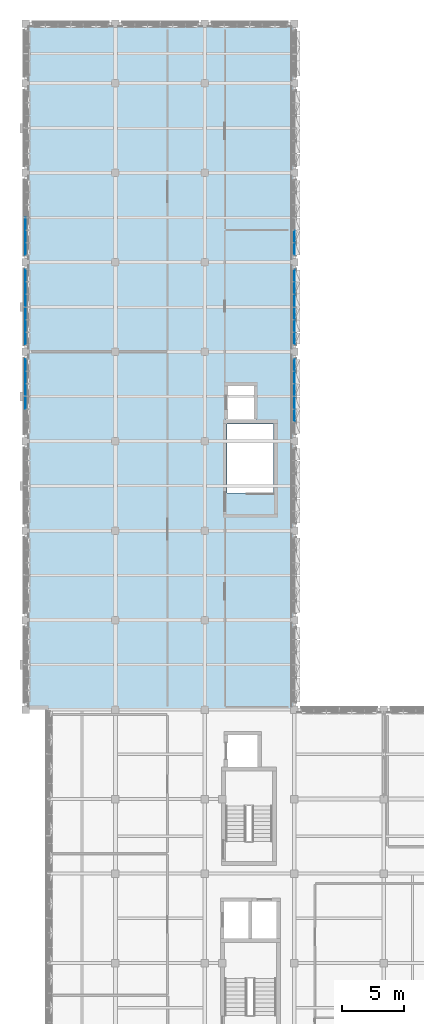
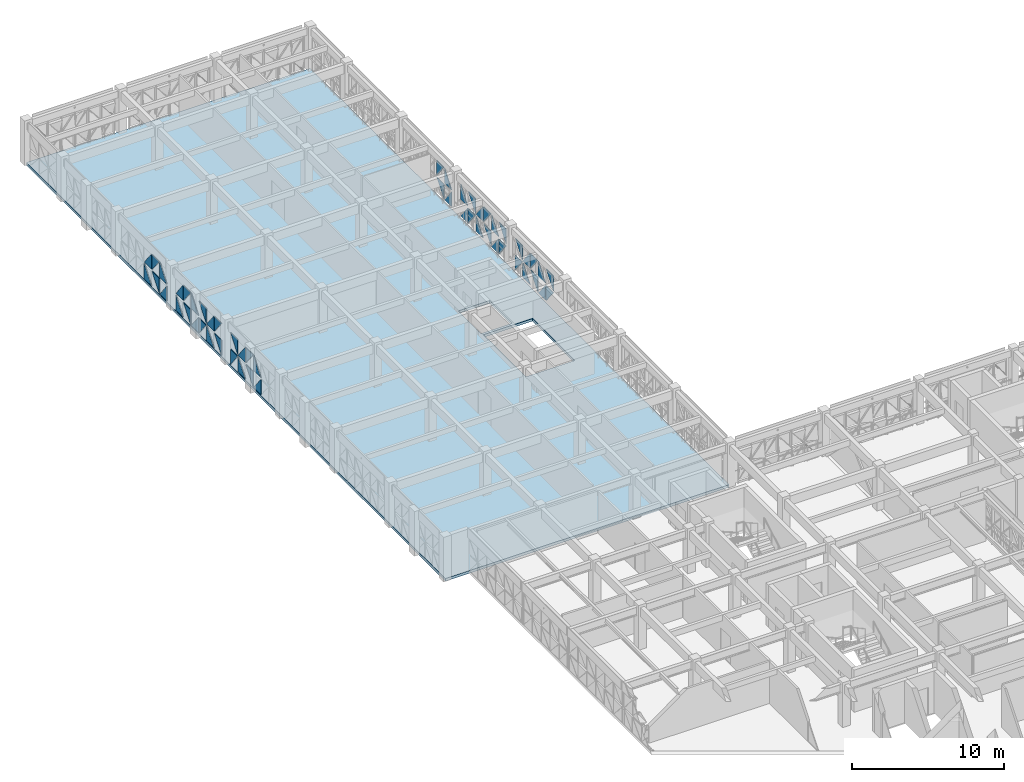
# One storey, part 34 of 74: 52 plates, 1 slab, 6 elements without a shape of their own.
"""IFC4 building model written with IfcOpenShell, lengths in metres."""

import ifcopenshell
import ifcopenshell.guid

model = None  # the IFC model being written
_history = None  # IfcOwnerHistory: only IFC2X3 demands one
_inside = {}  # id of a spatial element -> (the spatial element, [elements in it])
_under = {}  # id of a project, library or spatial element -> (it, [spatial elements below it])
_declared = {}  # id of a project -> (the project, [libraries it declares])
_typed = {}  # id of a type object -> (the type object, [elements of that type])
_made_of = {}  # id of a material, layer set ... -> (it, [elements and type objects made of it])


def new_model(schema):
    """Start an empty IFC model of exactly this schema.

    Asked for "IFC4X3", IfcOpenShell would pick the latest addendum, in which some entities
    have other attributes; the version numbers below select the first issue.
    IFC2X3 requires an IfcOwnerHistory on every rooted entity: one is made here for all.
    """
    global model, _history
    if schema == "IFC4X3":
        model = ifcopenshell.file(schema_version=(4, 3, 0, 0))
    else:
        model = ifcopenshell.file(schema=schema)
    _inside.clear()
    _under.clear()
    _declared.clear()
    _typed.clear()
    _made_of.clear()
    _history = None
    if model.schema == "IFC2X3":
        org = make("IfcOrganization", Name="unknown")
        user = make(
            "IfcPersonAndOrganization",
            ThePerson=make("IfcPerson", FamilyName="unknown"),
            TheOrganization=org,
        )
        app = make(
            "IfcApplication",
            ApplicationDeveloper=org,
            Version="unknown",
            ApplicationFullName="unknown",
            ApplicationIdentifier="unknown",
        )
        _history = make(
            "IfcOwnerHistory",
            OwningUser=user,
            OwningApplication=app,
            ChangeAction="ADDED",
            CreationDate=0,
        )
    return model


def make(cls, **values):
    """One entity of the class cls with the attributes given. An attribute that is None is left unset."""
    return model.create_entity(
        cls, **{name: value for name, value in values.items() if value is not None}
    )


def rooted(cls, **values):
    """An entity with a GlobalId (a new one), such as an element, a storey or a relation."""
    return make(cls, GlobalId=ifcopenshell.guid.new(), OwnerHistory=_history, **values)


def si_unit(unit_type, name, prefix=None):
    """IfcSIUnit, for example si_unit("LENGTHUNIT", "METRE", prefix="MILLI")."""
    return make("IfcSIUnit", UnitType=unit_type, Prefix=prefix, Name=name)


def assignment(units):
    """IfcUnitAssignment: the units of a project."""
    return None if units is None else make("IfcUnitAssignment", Units=units)


def point(xyz):
    """IfcCartesianPoint."""
    return None if xyz is None else make("IfcCartesianPoint", Coordinates=xyz)


def direction(xyz):
    """IfcDirection."""
    return None if xyz is None else make("IfcDirection", DirectionRatios=xyz)


def frame(location, z_axis=None, x_axis=None):
    """IfcAxis2Placement3D, a coordinate frame: its origin and axes. An axis left out is left unset."""
    return make(
        "IfcAxis2Placement3D",
        Location=point(location),
        Axis=direction(z_axis),
        RefDirection=direction(x_axis),
    )


def origin():
    """The frame at (0, 0, 0) with its axes left unset."""
    return frame((0.0, 0.0, 0.0))


def place(relative_to, where):
    """IfcLocalPlacement: puts the frame where relative to a parent placement (None: the world)."""
    return make(
        "IfcLocalPlacement", PlacementRelTo=relative_to, RelativePlacement=where
    )


def context(
    kind, dimensions, precision=None, world=None, true_north=None, identifier=None
):
    """IfcGeometricRepresentationContext, for example the 3D "Model" context."""
    return make(
        "IfcGeometricRepresentationContext",
        ContextIdentifier=identifier,
        ContextType=kind,
        CoordinateSpaceDimension=dimensions,
        Precision=precision,
        WorldCoordinateSystem=world,
        TrueNorth=true_north,
    )


def subcontext(parent, identifier, kind, view, scale=None):
    """IfcGeometricRepresentationSubContext, for example "Body" below "Model"."""
    return make(
        "IfcGeometricRepresentationSubContext",
        ContextIdentifier=identifier,
        ContextType=kind,
        ParentContext=parent,
        TargetScale=scale,
        TargetView=view,
    )


def project(units=None, contexts=None):
    """IfcProject with its units and contexts."""
    return rooted(
        "IfcProject",
        Name="project",
        RepresentationContexts=contexts,
        UnitsInContext=assignment(units),
    )


def spatial(cls, under=None, at=None, **own):
    """A site, building, storey or space (cls), placed at a placement, below another one or the project."""
    s = rooted(cls, ObjectPlacement=at, **own)
    if under is not None:
        _under.setdefault(under.id(), (under, []))[1].append(s)
    return s


def polyline(points):
    """IfcPolyline through the points."""
    return make("IfcPolyline", Points=[point(p) for p in points])


def outline(outer, holes=None, kind="AREA"):
    """IfcArbitraryClosedProfileDef: a profile drawn as a closed curve; with holes, ...WithVoids."""
    if holes is None:
        return make("IfcArbitraryClosedProfileDef", ProfileType=kind, OuterCurve=outer)
    return make(
        "IfcArbitraryProfileDefWithVoids",
        ProfileType=kind,
        OuterCurve=outer,
        InnerCurves=holes,
    )


def extrude(swept, where, along, depth):
    """IfcExtrudedAreaSolid: the profile swept, set in the frame where, extruded along a direction by depth."""
    return make(
        "IfcExtrudedAreaSolid",
        SweptArea=swept,
        Position=where,
        ExtrudedDirection=direction(along),
        Depth=depth,
    )


def shape(context_of_items, identifier, shape_type, items):
    """IfcShapeRepresentation: the items that make up one representation, for example the "Body"."""
    return make(
        "IfcShapeRepresentation",
        ContextOfItems=context_of_items,
        RepresentationIdentifier=identifier,
        RepresentationType=shape_type,
        Items=items,
    )


def material(Name=None, Category=None):
    """IfcMaterial."""
    return make("IfcMaterial", Name=Name, Category=Category)


def layer(
    of_material, thickness, ventilated=None, Name=None, Category=None, Priority=None
):
    """IfcMaterialLayer: one layer of a wall or slab, of a material (None: an air gap)."""
    return make(
        "IfcMaterialLayer",
        Material=of_material,
        LayerThickness=thickness,
        IsVentilated=ventilated,
        Name=Name,
        Category=Category,
        Priority=Priority,
    )


def layer_set(layers, Name=None):
    """IfcMaterialLayerSet."""
    return make("IfcMaterialLayerSet", MaterialLayers=layers, LayerSetName=Name)


def made_of(thing, what):
    """Note that an element or type object is made of a material, layer set ...; save() writes the relation."""
    if what is not None:
        _made_of.setdefault(what.id(), (what, []))[1].append(thing)
    return thing


def type_object(cls, material=None, **own):
    """A type object (cls), such as IfcWallType, which elements share."""
    return made_of(rooted(cls, **own), material)


def element(
    cls,
    number,
    at=None,
    inside=None,
    cuts=None,
    type_object=None,
    material=None,
    context=None,
    identifier="Body",
    shape_type=None,
    held_by="IfcProductDefinitionShape",
    body=None,
    shapes=None,
    **own,
):
    """One element of the class cls, such as IfcWall. Its Tag is "e" and its number.

    at: its placement. inside: the storey or other place that contains it. cuts: it is an
    opening in that element (IfcRelVoidsElement). A single representation is given by context,
    identifier, shape_type and body (its items); several are given by shapes. held_by: the class
    of the entity that holds the representations. save() writes the other relations.
    """
    e = rooted(cls, Tag="e%d" % number, ObjectPlacement=at, **own)
    if body is not None:
        shapes = [shape(context, identifier, shape_type, body)]
    if shapes is not None:
        e.Representation = make(held_by, Representations=shapes)
    if inside is not None:
        _inside.setdefault(inside.id(), (inside, []))[1].append(e)
    if cuts is not None:
        rooted(
            "IfcRelVoidsElement", RelatingBuildingElement=cuts, RelatedOpeningElement=e
        )
    if type_object is not None:
        _typed.setdefault(type_object.id(), (type_object, []))[1].append(e)
    return made_of(e, material)


def aggregate(whole, parts):
    """IfcRelAggregates: a whole, such as a stair, and the parts it consists of."""
    return rooted("IfcRelAggregates", RelatingObject=whole, RelatedObjects=parts)


def save(model, path):
    """Write the relations noted so far, then the file.

    IfcRelAggregates (storeys below a building ...), IfcRelContainedInSpatialStructure (elements
    in a storey), IfcRelDefinesByType, IfcRelAssociatesMaterial and IfcRelDeclares: one each for
    every whole, place, type object, material and project.
    """
    for whole, parts in _under.values():
        aggregate(whole, parts)
    for where, things in _inside.values():
        rooted(
            "IfcRelContainedInSpatialStructure",
            RelatedElements=things,
            RelatingStructure=where,
        )
    for kind, things in _typed.values():
        rooted("IfcRelDefinesByType", RelatedObjects=things, RelatingType=kind)
    for what, things in _made_of.values():
        rooted("IfcRelAssociatesMaterial", RelatedObjects=things, RelatingMaterial=what)
    for by, libraries in _declared.values():
        rooted("IfcRelDeclares", RelatingContext=by, RelatedDefinitions=libraries)
    model.write(path)


model = new_model("IFC4")

# Units and contexts
model_context = context("Model", 3, precision=1e-05, world=origin(), true_north=direction((0.0, 1.0)))
body_context = subcontext(model_context, "Body", "Model", "MODEL_VIEW")
ifc_project = project(units=[si_unit("LENGTHUNIT", "METRE"), si_unit("AREAUNIT", "SQUARE_METRE"), si_unit("VOLUMEUNIT", "CUBIC_METRE"), si_unit("PLANEANGLEUNIT", "RADIAN"), si_unit("MASSUNIT", "GRAM", prefix="KILO")], contexts=[model_context])

# Site, building, storey
site_placement = place(None, origin())
site = spatial("IfcSite", under=ifc_project, at=site_placement, CompositionType="ELEMENT")
building_placement = place(site_placement, origin())
building = spatial("IfcBuilding", under=site, at=building_placement, Name="Alvorim Cloister Faculty of Sciences", CompositionType="ELEMENT")
storey_placement = place(building_placement, frame((0.0, 0.0, 15.75)))
storey = spatial("IfcBuildingStorey", under=building, at=storey_placement, Name="L04", CompositionType="ELEMENT", Elevation=15.75)

# Curtain wall, plates
ifc_material_1 = material(Name="Aluminium and Low-E Glass Curtain Wall", Category="aluminium")
curtain_wall_type = type_object("IfcCurtainWallType", Name="CW-TRI-6120x2850", PredefinedType="USERDEFINED", material=ifc_material_1)
curtain_wall_1_placement = place(storey_placement, origin())
curtain_wall_1 = element("IfcCurtainWall", 1, at=curtain_wall_1_placement, inside=storey, type_object=curtain_wall_type, Name="L04 Diagonal Cassette Curtain Wall CW-0173", ObjectType="UNITISED CURTAIN WALL", PredefinedType="USERDEFINED")
ifc_material_2 = material(Name="Double Low-E Laminated Glass", Category="glass")
ifc_layer_1 = layer(ifc_material_2, 0.0400390625)
ifc_layer_set_1 = layer_set([ifc_layer_1], Name="Double Low-E Laminated Glass")
plate_type = type_object("IfcPlateType", Name="PN-GLZ-40", PredefinedType="CURTAIN_PANEL", material=ifc_layer_set_1)
plate_1_placement = place(storey_placement, frame((-0.02490234375, 80.612548828125, 0.139892578125), z_axis=(0.0, 0.0, 1.0), x_axis=(0.0, 1.0, 0.0)))
plate_1 = element("IfcPlate", 2, at=plate_1_placement, type_object=plate_type, Name="Diagonal Glazed Triangle TRI-BL", PredefinedType="CURTAIN_PANEL", context=body_context, shape_type="SweptSolid", body=[
    extrude(outline(polyline([(0.0, 0.0), (0.953125, 0.0), (0.0, 1.213134765625), (0.0, 0.0)])), frame((0.0, 0.02490234375, 0.0), z_axis=(0.0, -1.0, 0.0), x_axis=(1.0, 0.0, 0.0)), (0.0, 0.0, 1.0), 0.050048828125),
])
plate_2_placement = place(storey_placement, frame((-0.02490234375, 80.612548828125, 1.4951171875), z_axis=(0.0, 0.0, 1.0), x_axis=(0.0, 1.0, 0.0)))
plate_2 = element("IfcPlate", 3, at=plate_2_placement, type_object=plate_type, Name="Diagonal Glazed Triangle TRI-BR", PredefinedType="CURTAIN_PANEL", context=body_context, shape_type="SweptSolid", body=[
    extrude(outline(polyline([(0.001953125, 0.0), (0.955078125, 0.0), (0.955078125, 1.212890625), (0.001953125, 0.0)])), frame((0.0, 0.02490234375, 0.0), z_axis=(0.0, -1.0, 0.0), x_axis=(1.0, 0.0, 0.0)), (0.0, 0.0, 1.0), 0.050048828125),
])
plate_3_placement = place(storey_placement, frame((-0.02490234375, 81.632568359375, 0.139892578125), z_axis=(0.0, 0.0, 1.0), x_axis=(0.0, 1.0, 0.0)))
plate_3 = element("IfcPlate", 4, at=plate_3_placement, type_object=plate_type, Name="Diagonal Glazed Triangle TRI-TL", PredefinedType="CURTAIN_PANEL", context=body_context, shape_type="SweptSolid", body=[
    extrude(outline(polyline([(0.953125, 1.215087890625), (0.0, 1.215087890625), (0.0, 0.001953125), (0.953125, 1.215087890625)])), frame((0.0, 0.02490234375, 0.0), z_axis=(0.0, -1.0, 0.0), x_axis=(1.0, 0.0, 0.0)), (0.0, 0.0, 1.0), 0.050048828125),
])
plate_4_placement = place(storey_placement, frame((-0.02490234375, 81.632568359375, 1.4951171875), z_axis=(0.0, 0.0, 1.0), x_axis=(0.0, 1.0, 0.0)))
plate_4 = element("IfcPlate", 5, at=plate_4_placement, type_object=plate_type, Name="Diagonal Glazed Triangle TRI-TR", PredefinedType="CURTAIN_PANEL", context=body_context, shape_type="SweptSolid", body=[
    extrude(outline(polyline([(0.955078125, 0.001953125), (0.955078125, 1.21484375), (0.001953125, 1.21484375), (0.955078125, 0.001953125)])), frame((0.0, 0.02490234375, 0.0), z_axis=(0.0, -1.0, 0.0), x_axis=(1.0, 0.0, 0.0)), (0.0, 0.0, 1.0), 0.050048828125),
])
plate_5_placement = place(storey_placement, frame((-0.02490234375, 82.652587890625, 0.139892578125), z_axis=(0.0, 0.0, 1.0), x_axis=(0.0, 1.0, 0.0)))
plate_5 = element("IfcPlate", 6, at=plate_5_placement, type_object=plate_type, Name="Diagonal Glazed Triangle TRI-BR", PredefinedType="CURTAIN_PANEL", context=body_context, shape_type="SweptSolid", body=[
    extrude(outline(polyline([(0.001953125, 0.0), (0.955078125, 0.0), (0.955078125, 1.213134765625), (0.001953125, 0.0)])), frame((0.0, 0.02490234375, 0.0), z_axis=(0.0, -1.0, 0.0), x_axis=(1.0, 0.0, 0.0)), (0.0, 0.0, 1.0), 0.050048828125),
])
plate_6_placement = place(storey_placement, frame((-0.02490234375, 82.652587890625, 1.4951171875), z_axis=(0.0, 0.0, 1.0), x_axis=(0.0, 1.0, 0.0)))
plate_6 = element("IfcPlate", 7, at=plate_6_placement, type_object=plate_type, Name="Diagonal Glazed Triangle TRI-BL", PredefinedType="CURTAIN_PANEL", context=body_context, shape_type="SweptSolid", body=[
    extrude(outline(polyline([(0.0, 0.0), (0.953125, 0.0), (0.0, 1.212890625), (0.0, 0.0)])), frame((0.0, 0.02490234375, 0.0), z_axis=(0.0, -1.0, 0.0), x_axis=(1.0, 0.0, 0.0)), (0.0, 0.0, 1.0), 0.050048828125),
])
plate_7_placement = place(storey_placement, frame((-0.02490234375, 83.672607421875, 0.139892578125), z_axis=(0.0, 0.0, 1.0), x_axis=(0.0, 1.0, 0.0)))
plate_7 = element("IfcPlate", 8, at=plate_7_placement, type_object=plate_type, Name="Diagonal Glazed Triangle TRI-TR", PredefinedType="CURTAIN_PANEL", context=body_context, shape_type="SweptSolid", body=[
    extrude(outline(polyline([(0.922607421875, 0.001953125), (0.922607421875, 1.215087890625), (0.001953125, 1.215087890625), (0.922607421875, 0.001953125)])), frame((0.0, 0.02490234375, 0.0), z_axis=(0.0, -1.0, 0.0), x_axis=(1.0, 0.0, 0.0)), (0.0, 0.0, 1.0), 0.050048828125),
])
plate_8_placement = place(storey_placement, frame((-0.02490234375, 83.672607421875, 1.4951171875), z_axis=(0.0, 0.0, 1.0), x_axis=(0.0, 1.0, 0.0)))
plate_8 = element("IfcPlate", 9, at=plate_8_placement, type_object=plate_type, Name="Diagonal Glazed Triangle TRI-TL", PredefinedType="CURTAIN_PANEL", context=body_context, shape_type="SweptSolid", body=[
    extrude(outline(polyline([(0.920654296875, 1.21484375), (0.0, 1.21484375), (0.0, 0.001953125), (0.920654296875, 1.21484375)])), frame((0.0, 0.02490234375, 0.0), z_axis=(0.0, -1.0, 0.0), x_axis=(1.0, 0.0, 0.0)), (0.0, 0.0, 1.0), 0.050048828125),
])
aggregate(curtain_wall_1, [plate_1, plate_2, plate_3, plate_4, plate_5, plate_6, plate_7, plate_8])

curtain_wall_2_placement = place(storey_placement, origin())
curtain_wall_2 = element("IfcCurtainWall", 10, at=curtain_wall_2_placement, inside=storey, type_object=curtain_wall_type, Name="L04 Diagonal Cassette Curtain Wall CW-0174", ObjectType="UNITISED CURTAIN WALL", PredefinedType="USERDEFINED")
plate_9_placement = place(storey_placement, frame((-0.02490234375, 85.804931640625, 0.139892578125), z_axis=(0.0, 0.0, 1.0), x_axis=(0.0, 1.0, 0.0)))
plate_9 = element("IfcPlate", 11, at=plate_9_placement, type_object=plate_type, Name="Diagonal Glazed Triangle TRI-TL", PredefinedType="CURTAIN_PANEL", context=body_context, shape_type="SweptSolid", body=[
    extrude(outline(polyline([(0.920654296875, 1.215087890625), (0.0, 1.215087890625), (0.0, 0.001953125), (0.920654296875, 1.215087890625)])), frame((0.0, 0.02490234375, 0.0), z_axis=(0.0, -1.0, 0.0), x_axis=(1.0, 0.0, 0.0)), (0.0, 0.0, 1.0), 0.050048828125),
])
plate_10_placement = place(storey_placement, frame((-0.02490234375, 85.804931640625, 1.4951171875), z_axis=(0.0, 0.0, 1.0), x_axis=(0.0, 1.0, 0.0)))
plate_10 = element("IfcPlate", 12, at=plate_10_placement, type_object=plate_type, Name="Diagonal Glazed Triangle TRI-TR", PredefinedType="CURTAIN_PANEL", context=body_context, shape_type="SweptSolid", body=[
    extrude(outline(polyline([(0.922607421875, 0.001953125), (0.922607421875, 1.21484375), (0.001953125, 1.21484375), (0.922607421875, 0.001953125)])), frame((0.0, 0.02490234375, 0.0), z_axis=(0.0, -1.0, 0.0), x_axis=(1.0, 0.0, 0.0)), (0.0, 0.0, 1.0), 0.050048828125),
])
plate_11_placement = place(storey_placement, frame((-0.02490234375, 86.79248046875, 0.139892578125), z_axis=(0.0, 0.0, 1.0), x_axis=(0.0, 1.0, 0.0)))
plate_11 = element("IfcPlate", 13, at=plate_11_placement, type_object=plate_type, Name="Diagonal Glazed Triangle TRI-BR", PredefinedType="CURTAIN_PANEL", context=body_context, shape_type="SweptSolid", body=[
    extrude(outline(polyline([(0.001953125, 0.0), (0.955078125, 0.0), (0.955078125, 1.213134765625), (0.001953125, 0.0)])), frame((0.0, 0.02490234375, 0.0), z_axis=(0.0, -1.0, 0.0), x_axis=(1.0, 0.0, 0.0)), (0.0, 0.0, 1.0), 0.050048828125),
])
plate_12_placement = place(storey_placement, frame((-0.02490234375, 86.79248046875, 1.4951171875), z_axis=(0.0, 0.0, 1.0), x_axis=(0.0, 1.0, 0.0)))
plate_12 = element("IfcPlate", 14, at=plate_12_placement, type_object=plate_type, Name="Diagonal Glazed Triangle TRI-BL", PredefinedType="CURTAIN_PANEL", context=body_context, shape_type="SweptSolid", body=[
    extrude(outline(polyline([(0.0, 0.0), (0.953125, 0.0), (0.0, 1.212890625), (0.0, 0.0)])), frame((0.0, 0.02490234375, 0.0), z_axis=(0.0, -1.0, 0.0), x_axis=(1.0, 0.0, 0.0)), (0.0, 0.0, 1.0), 0.050048828125),
])
plate_13_placement = place(storey_placement, frame((-0.02490234375, 87.8125, 0.139892578125), z_axis=(0.0, 0.0, 1.0), x_axis=(0.0, 1.0, 0.0)))
plate_13 = element("IfcPlate", 15, at=plate_13_placement, type_object=plate_type, Name="Diagonal Glazed Triangle TRI-TR", PredefinedType="CURTAIN_PANEL", context=body_context, shape_type="SweptSolid", body=[
    extrude(outline(polyline([(0.955078125, 0.001953125), (0.955078125, 1.215087890625), (0.001953125, 1.215087890625), (0.955078125, 0.001953125)])), frame((0.0, 0.02490234375, 0.0), z_axis=(0.0, -1.0, 0.0), x_axis=(1.0, 0.0, 0.0)), (0.0, 0.0, 1.0), 0.050048828125),
])
plate_14_placement = place(storey_placement, frame((-0.02490234375, 87.8125, 1.4951171875), z_axis=(0.0, 0.0, 1.0), x_axis=(0.0, 1.0, 0.0)))
plate_14 = element("IfcPlate", 16, at=plate_14_placement, type_object=plate_type, Name="Diagonal Glazed Triangle TRI-TL", PredefinedType="CURTAIN_PANEL", context=body_context, shape_type="SweptSolid", body=[
    extrude(outline(polyline([(0.953125, 1.21484375), (0.0, 1.21484375), (0.0, 0.001953125), (0.953125, 1.21484375)])), frame((0.0, 0.02490234375, 0.0), z_axis=(0.0, -1.0, 0.0), x_axis=(1.0, 0.0, 0.0)), (0.0, 0.0, 1.0), 0.050048828125),
])
plate_15_placement = place(storey_placement, frame((-0.02490234375, 88.83251953125, 0.139892578125), z_axis=(0.0, 0.0, 1.0), x_axis=(0.0, 1.0, 0.0)))
plate_15 = element("IfcPlate", 17, at=plate_15_placement, type_object=plate_type, Name="Diagonal Glazed Triangle TRI-BL", PredefinedType="CURTAIN_PANEL", context=body_context, shape_type="SweptSolid", body=[
    extrude(outline(polyline([(0.0, 0.0), (0.953125, 0.0), (0.0, 1.213134765625), (0.0, 0.0)])), frame((0.0, 0.02490234375, 0.0), z_axis=(0.0, -1.0, 0.0), x_axis=(1.0, 0.0, 0.0)), (0.0, 0.0, 1.0), 0.050048828125),
])
plate_16_placement = place(storey_placement, frame((-0.02490234375, 88.83251953125, 1.4951171875), z_axis=(0.0, 0.0, 1.0), x_axis=(0.0, 1.0, 0.0)))
plate_16 = element("IfcPlate", 18, at=plate_16_placement, type_object=plate_type, Name="Diagonal Glazed Triangle TRI-BR", PredefinedType="CURTAIN_PANEL", context=body_context, shape_type="SweptSolid", body=[
    extrude(outline(polyline([(0.001953125, 0.0), (0.955078125, 0.0), (0.955078125, 1.212890625), (0.001953125, 0.0)])), frame((0.0, 0.02490234375, 0.0), z_axis=(0.0, -1.0, 0.0), x_axis=(1.0, 0.0, 0.0)), (0.0, 0.0, 1.0), 0.050048828125),
])
plate_17_placement = place(storey_placement, frame((-0.02490234375, 89.8525390625, 0.139892578125), z_axis=(0.0, 0.0, 1.0), x_axis=(0.0, 1.0, 0.0)))
plate_17 = element("IfcPlate", 19, at=plate_17_placement, type_object=plate_type, Name="Diagonal Glazed Triangle TRI-TL", PredefinedType="CURTAIN_PANEL", context=body_context, shape_type="SweptSolid", body=[
    extrude(outline(polyline([(0.953125, 1.215087890625), (0.0, 1.215087890625), (0.0, 0.001953125), (0.953125, 1.215087890625)])), frame((0.0, 0.02490234375, 0.0), z_axis=(0.0, -1.0, 0.0), x_axis=(1.0, 0.0, 0.0)), (0.0, 0.0, 1.0), 0.050048828125),
])
plate_18_placement = place(storey_placement, frame((-0.02490234375, 89.8525390625, 1.4951171875), z_axis=(0.0, 0.0, 1.0), x_axis=(0.0, 1.0, 0.0)))
plate_18 = element("IfcPlate", 20, at=plate_18_placement, type_object=plate_type, Name="Diagonal Glazed Triangle TRI-TR", PredefinedType="CURTAIN_PANEL", context=body_context, shape_type="SweptSolid", body=[
    extrude(outline(polyline([(0.955078125, 0.001953125), (0.955078125, 1.21484375), (0.001953125, 1.21484375), (0.955078125, 0.001953125)])), frame((0.0, 0.02490234375, 0.0), z_axis=(0.0, -1.0, 0.0), x_axis=(1.0, 0.0, 0.0)), (0.0, 0.0, 1.0), 0.050048828125),
])
plate_19_placement = place(storey_placement, frame((-0.02490234375, 90.87255859375, 0.139892578125), z_axis=(0.0, 0.0, 1.0), x_axis=(0.0, 1.0, 0.0)))
plate_19 = element("IfcPlate", 21, at=plate_19_placement, type_object=plate_type, Name="Diagonal Glazed Triangle TRI-BR", PredefinedType="CURTAIN_PANEL", context=body_context, shape_type="SweptSolid", body=[
    extrude(outline(polyline([(0.001953125, 0.0), (0.922607421875, 0.0), (0.922607421875, 1.213134765625), (0.001953125, 0.0)])), frame((0.0, 0.02490234375, 0.0), z_axis=(0.0, -1.0, 0.0), x_axis=(1.0, 0.0, 0.0)), (0.0, 0.0, 1.0), 0.050048828125),
])
plate_20_placement = place(storey_placement, frame((-0.02490234375, 90.87255859375, 1.4951171875), z_axis=(0.0, 0.0, 1.0), x_axis=(0.0, 1.0, 0.0)))
plate_20 = element("IfcPlate", 22, at=plate_20_placement, type_object=plate_type, Name="Diagonal Glazed Triangle TRI-BL", PredefinedType="CURTAIN_PANEL", context=body_context, shape_type="SweptSolid", body=[
    extrude(outline(polyline([(0.0, 0.0), (0.920654296875, 0.0), (0.0, 1.212890625), (0.0, 0.0)])), frame((0.0, 0.02490234375, 0.0), z_axis=(0.0, -1.0, 0.0), x_axis=(1.0, 0.0, 0.0)), (0.0, 0.0, 1.0), 0.050048828125),
])
aggregate(curtain_wall_2, [plate_9, plate_10, plate_11, plate_12, plate_13, plate_14, plate_15, plate_16, plate_17, plate_18, plate_19, plate_20])

curtain_wall_3_placement = place(storey_placement, origin())
curtain_wall_3 = element("IfcCurtainWall", 23, at=curtain_wall_3_placement, inside=storey, type_object=curtain_wall_type, Name="L04 Diagonal Cassette Curtain Wall CW-0175", ObjectType="UNITISED CURTAIN WALL", PredefinedType="USERDEFINED")
plate_21_placement = place(storey_placement, frame((-0.02490234375, 93.0048828125, 0.139892578125), z_axis=(0.0, 0.0, 1.0), x_axis=(0.0, 1.0, 0.0)))
plate_21 = element("IfcPlate", 24, at=plate_21_placement, type_object=plate_type, Name="Diagonal Glazed Triangle TRI-BL", PredefinedType="CURTAIN_PANEL", context=body_context, shape_type="SweptSolid", body=[
    extrude(outline(polyline([(0.0, 0.0), (0.920654296875, 0.0), (0.0, 1.213134765625), (0.0, 0.0)])), frame((0.0, 0.02490234375, 0.0), z_axis=(0.0, -1.0, 0.0), x_axis=(1.0, 0.0, 0.0)), (0.0, 0.0, 1.0), 0.050048828125),
])
plate_22_placement = place(storey_placement, frame((-0.02490234375, 93.0048828125, 1.4951171875), z_axis=(0.0, 0.0, 1.0), x_axis=(0.0, 1.0, 0.0)))
plate_22 = element("IfcPlate", 25, at=plate_22_placement, type_object=plate_type, Name="Diagonal Glazed Triangle TRI-BR", PredefinedType="CURTAIN_PANEL", context=body_context, shape_type="SweptSolid", body=[
    extrude(outline(polyline([(0.001953125, 0.0), (0.922607421875, 0.0), (0.922607421875, 1.212890625), (0.001953125, 0.0)])), frame((0.0, 0.02490234375, 0.0), z_axis=(0.0, -1.0, 0.0), x_axis=(1.0, 0.0, 0.0)), (0.0, 0.0, 1.0), 0.050048828125),
])
plate_23_placement = place(storey_placement, frame((-0.02490234375, 93.992431640625, 0.139892578125), z_axis=(0.0, 0.0, 1.0), x_axis=(0.0, 1.0, 0.0)))
plate_23 = element("IfcPlate", 26, at=plate_23_placement, type_object=plate_type, Name="Diagonal Glazed Triangle TRI-TL", PredefinedType="CURTAIN_PANEL", context=body_context, shape_type="SweptSolid", body=[
    extrude(outline(polyline([(0.953125, 1.215087890625), (0.0, 1.215087890625), (0.0, 0.001953125), (0.953125, 1.215087890625)])), frame((0.0, 0.02490234375, 0.0), z_axis=(0.0, -1.0, 0.0), x_axis=(1.0, 0.0, 0.0)), (0.0, 0.0, 1.0), 0.050048828125),
])
plate_24_placement = place(storey_placement, frame((-0.02490234375, 93.992431640625, 1.4951171875), z_axis=(0.0, 0.0, 1.0), x_axis=(0.0, 1.0, 0.0)))
plate_24 = element("IfcPlate", 27, at=plate_24_placement, type_object=plate_type, Name="Diagonal Glazed Triangle TRI-TR", PredefinedType="CURTAIN_PANEL", context=body_context, shape_type="SweptSolid", body=[
    extrude(outline(polyline([(0.955078125, 0.001953125), (0.955078125, 1.21484375), (0.001953125, 1.21484375), (0.955078125, 0.001953125)])), frame((0.0, 0.02490234375, 0.0), z_axis=(0.0, -1.0, 0.0), x_axis=(1.0, 0.0, 0.0)), (0.0, 0.0, 1.0), 0.050048828125),
])
plate_25_placement = place(storey_placement, frame((-0.02490234375, 95.012451171875, 0.139892578125), z_axis=(0.0, 0.0, 1.0), x_axis=(0.0, 1.0, 0.0)))
plate_25 = element("IfcPlate", 28, at=plate_25_placement, type_object=plate_type, Name="Diagonal Glazed Triangle TRI-BR", PredefinedType="CURTAIN_PANEL", context=body_context, shape_type="SweptSolid", body=[
    extrude(outline(polyline([(0.001953125, 0.0), (0.955078125, 0.0), (0.955078125, 1.213134765625), (0.001953125, 0.0)])), frame((0.0, 0.02490234375, 0.0), z_axis=(0.0, -1.0, 0.0), x_axis=(1.0, 0.0, 0.0)), (0.0, 0.0, 1.0), 0.050048828125),
])
plate_26_placement = place(storey_placement, frame((-0.02490234375, 95.012451171875, 1.4951171875), z_axis=(0.0, 0.0, 1.0), x_axis=(0.0, 1.0, 0.0)))
plate_26 = element("IfcPlate", 29, at=plate_26_placement, type_object=plate_type, Name="Diagonal Glazed Triangle TRI-BL", PredefinedType="CURTAIN_PANEL", context=body_context, shape_type="SweptSolid", body=[
    extrude(outline(polyline([(0.0, 0.0), (0.953125, 0.0), (0.0, 1.212890625), (0.0, 0.0)])), frame((0.0, 0.02490234375, 0.0), z_axis=(0.0, -1.0, 0.0), x_axis=(1.0, 0.0, 0.0)), (0.0, 0.0, 1.0), 0.050048828125),
])
aggregate(curtain_wall_3, [plate_21, plate_22, plate_23, plate_24, plate_25, plate_26])

curtain_wall_4_placement = place(storey_placement, origin())
curtain_wall_4 = element("IfcCurtainWall", 30, at=curtain_wall_4_placement, inside=storey, type_object=curtain_wall_type, Name="L04 Diagonal Cassette Curtain Wall CW-0183", ObjectType="UNITISED CURTAIN WALL", PredefinedType="USERDEFINED")
plate_27_placement = place(storey_placement, frame((21.625, 93.0048828125, 0.139892578125), z_axis=(0.0, 0.0, 1.0), x_axis=(0.0, 1.0, 0.0)))
plate_27 = element("IfcPlate", 31, at=plate_27_placement, type_object=plate_type, Name="Diagonal Glazed Triangle TRI-BL", PredefinedType="CURTAIN_PANEL", context=body_context, shape_type="SweptSolid", body=[
    extrude(outline(polyline([(0.0, 0.0), (0.920654296875, 0.0), (0.0, 1.213134765625), (0.0, 0.0)])), frame((0.0, 0.02490234375, 0.0), z_axis=(0.0, -1.0, 0.0), x_axis=(1.0, 0.0, 0.0)), (0.0, 0.0, 1.0), 0.050048828125),
])
plate_28_placement = place(storey_placement, frame((21.625, 93.0048828125, 1.4951171875), z_axis=(0.0, 0.0, 1.0), x_axis=(0.0, 1.0, 0.0)))
plate_28 = element("IfcPlate", 32, at=plate_28_placement, type_object=plate_type, Name="Diagonal Glazed Triangle TRI-BR", PredefinedType="CURTAIN_PANEL", context=body_context, shape_type="SweptSolid", body=[
    extrude(outline(polyline([(0.001953125, 0.0), (0.922607421875, 0.0), (0.922607421875, 1.212890625), (0.001953125, 0.0)])), frame((0.0, 0.02490234375, 0.0), z_axis=(0.0, -1.0, 0.0), x_axis=(1.0, 0.0, 0.0)), (0.0, 0.0, 1.0), 0.050048828125),
])
plate_29_placement = place(storey_placement, frame((21.625, 93.992431640625, 0.139892578125), z_axis=(0.0, 0.0, 1.0), x_axis=(0.0, 1.0, 0.0)))
plate_29 = element("IfcPlate", 33, at=plate_29_placement, type_object=plate_type, Name="Diagonal Glazed Triangle TRI-TL", PredefinedType="CURTAIN_PANEL", context=body_context, shape_type="SweptSolid", body=[
    extrude(outline(polyline([(0.953125, 1.215087890625), (0.0, 1.215087890625), (0.0, 0.001953125), (0.953125, 1.215087890625)])), frame((0.0, 0.02490234375, 0.0), z_axis=(0.0, -1.0, 0.0), x_axis=(1.0, 0.0, 0.0)), (0.0, 0.0, 1.0), 0.050048828125),
])
plate_30_placement = place(storey_placement, frame((21.625, 93.992431640625, 1.4951171875), z_axis=(0.0, 0.0, 1.0), x_axis=(0.0, 1.0, 0.0)))
plate_30 = element("IfcPlate", 34, at=plate_30_placement, type_object=plate_type, Name="Diagonal Glazed Triangle TRI-TR", PredefinedType="CURTAIN_PANEL", context=body_context, shape_type="SweptSolid", body=[
    extrude(outline(polyline([(0.955078125, 0.001953125), (0.955078125, 1.21484375), (0.001953125, 1.21484375), (0.955078125, 0.001953125)])), frame((0.0, 0.02490234375, 0.0), z_axis=(0.0, -1.0, 0.0), x_axis=(1.0, 0.0, 0.0)), (0.0, 0.0, 1.0), 0.050048828125),
])
aggregate(curtain_wall_4, [plate_27, plate_28, plate_29, plate_30])

curtain_wall_5_placement = place(storey_placement, origin())
curtain_wall_5 = element("IfcCurtainWall", 35, at=curtain_wall_5_placement, inside=storey, type_object=curtain_wall_type, Name="L04 Diagonal Cassette Curtain Wall CW-0184", ObjectType="UNITISED CURTAIN WALL", PredefinedType="USERDEFINED")
plate_31_placement = place(storey_placement, frame((21.625, 85.804931640625, 0.139892578125), z_axis=(0.0, 0.0, 1.0), x_axis=(0.0, 1.0, 0.0)))
plate_31 = element("IfcPlate", 36, at=plate_31_placement, type_object=plate_type, Name="Diagonal Glazed Triangle TRI-TR", PredefinedType="CURTAIN_PANEL", context=body_context, shape_type="SweptSolid", body=[
    extrude(outline(polyline([(0.922607421875, 0.001953125), (0.922607421875, 1.215087890625), (0.001953125, 1.215087890625), (0.922607421875, 0.001953125)])), frame((0.0, 0.02490234375, 0.0), z_axis=(0.0, -1.0, 0.0), x_axis=(1.0, 0.0, 0.0)), (0.0, 0.0, 1.0), 0.050048828125),
])
plate_32_placement = place(storey_placement, frame((21.625, 85.804931640625, 1.4951171875), z_axis=(0.0, 0.0, 1.0), x_axis=(0.0, 1.0, 0.0)))
plate_32 = element("IfcPlate", 37, at=plate_32_placement, type_object=plate_type, Name="Diagonal Glazed Triangle TRI-TL", PredefinedType="CURTAIN_PANEL", context=body_context, shape_type="SweptSolid", body=[
    extrude(outline(polyline([(0.920654296875, 1.21484375), (0.0, 1.21484375), (0.0, 0.001953125), (0.920654296875, 1.21484375)])), frame((0.0, 0.02490234375, 0.0), z_axis=(0.0, -1.0, 0.0), x_axis=(1.0, 0.0, 0.0)), (0.0, 0.0, 1.0), 0.050048828125),
])
plate_33_placement = place(storey_placement, frame((21.625, 86.79248046875, 0.139892578125), z_axis=(0.0, 0.0, 1.0), x_axis=(0.0, 1.0, 0.0)))
plate_33 = element("IfcPlate", 38, at=plate_33_placement, type_object=plate_type, Name="Diagonal Glazed Triangle TRI-BL", PredefinedType="CURTAIN_PANEL", context=body_context, shape_type="SweptSolid", body=[
    extrude(outline(polyline([(0.0, 0.0), (0.953125, 0.0), (0.0, 1.213134765625), (0.0, 0.0)])), frame((0.0, 0.02490234375, 0.0), z_axis=(0.0, -1.0, 0.0), x_axis=(1.0, 0.0, 0.0)), (0.0, 0.0, 1.0), 0.050048828125),
])
plate_34_placement = place(storey_placement, frame((21.625, 86.79248046875, 1.4951171875), z_axis=(0.0, 0.0, 1.0), x_axis=(0.0, 1.0, 0.0)))
plate_34 = element("IfcPlate", 39, at=plate_34_placement, type_object=plate_type, Name="Diagonal Glazed Triangle TRI-BR", PredefinedType="CURTAIN_PANEL", context=body_context, shape_type="SweptSolid", body=[
    extrude(outline(polyline([(0.001953125, 0.0), (0.955078125, 0.0), (0.955078125, 1.212890625), (0.001953125, 0.0)])), frame((0.0, 0.02490234375, 0.0), z_axis=(0.0, -1.0, 0.0), x_axis=(1.0, 0.0, 0.0)), (0.0, 0.0, 1.0), 0.050048828125),
])
plate_35_placement = place(storey_placement, frame((21.625, 87.8125, 0.139892578125), z_axis=(0.0, 0.0, 1.0), x_axis=(0.0, 1.0, 0.0)))
plate_35 = element("IfcPlate", 40, at=plate_35_placement, type_object=plate_type, Name="Diagonal Glazed Triangle TRI-TL", PredefinedType="CURTAIN_PANEL", context=body_context, shape_type="SweptSolid", body=[
    extrude(outline(polyline([(0.953125, 1.215087890625), (0.0, 1.215087890625), (0.0, 0.001953125), (0.953125, 1.215087890625)])), frame((0.0, 0.02490234375, 0.0), z_axis=(0.0, -1.0, 0.0), x_axis=(1.0, 0.0, 0.0)), (0.0, 0.0, 1.0), 0.050048828125),
])
plate_36_placement = place(storey_placement, frame((21.625, 87.8125, 1.4951171875), z_axis=(0.0, 0.0, 1.0), x_axis=(0.0, 1.0, 0.0)))
plate_36 = element("IfcPlate", 41, at=plate_36_placement, type_object=plate_type, Name="Diagonal Glazed Triangle TRI-TR", PredefinedType="CURTAIN_PANEL", context=body_context, shape_type="SweptSolid", body=[
    extrude(outline(polyline([(0.955078125, 0.001953125), (0.955078125, 1.21484375), (0.001953125, 1.21484375), (0.955078125, 0.001953125)])), frame((0.0, 0.02490234375, 0.0), z_axis=(0.0, -1.0, 0.0), x_axis=(1.0, 0.0, 0.0)), (0.0, 0.0, 1.0), 0.050048828125),
])
plate_37_placement = place(storey_placement, frame((21.625, 88.83251953125, 0.139892578125), z_axis=(0.0, 0.0, 1.0), x_axis=(0.0, 1.0, 0.0)))
plate_37 = element("IfcPlate", 42, at=plate_37_placement, type_object=plate_type, Name="Diagonal Glazed Triangle TRI-BR", PredefinedType="CURTAIN_PANEL", context=body_context, shape_type="SweptSolid", body=[
    extrude(outline(polyline([(0.001953125, 0.0), (0.955078125, 0.0), (0.955078125, 1.213134765625), (0.001953125, 0.0)])), frame((0.0, 0.02490234375, 0.0), z_axis=(0.0, -1.0, 0.0), x_axis=(1.0, 0.0, 0.0)), (0.0, 0.0, 1.0), 0.050048828125),
])
plate_38_placement = place(storey_placement, frame((21.625, 88.83251953125, 1.4951171875), z_axis=(0.0, 0.0, 1.0), x_axis=(0.0, 1.0, 0.0)))
plate_38 = element("IfcPlate", 43, at=plate_38_placement, type_object=plate_type, Name="Diagonal Glazed Triangle TRI-BL", PredefinedType="CURTAIN_PANEL", context=body_context, shape_type="SweptSolid", body=[
    extrude(outline(polyline([(0.0, 0.0), (0.953125, 0.0), (0.0, 1.212890625), (0.0, 0.0)])), frame((0.0, 0.02490234375, 0.0), z_axis=(0.0, -1.0, 0.0), x_axis=(1.0, 0.0, 0.0)), (0.0, 0.0, 1.0), 0.050048828125),
])
plate_39_placement = place(storey_placement, frame((21.625, 89.8525390625, 0.139892578125), z_axis=(0.0, 0.0, 1.0), x_axis=(0.0, 1.0, 0.0)))
plate_39 = element("IfcPlate", 44, at=plate_39_placement, type_object=plate_type, Name="Diagonal Glazed Triangle TRI-TR", PredefinedType="CURTAIN_PANEL", context=body_context, shape_type="SweptSolid", body=[
    extrude(outline(polyline([(0.955078125, 0.001953125), (0.955078125, 1.215087890625), (0.001953125, 1.215087890625), (0.955078125, 0.001953125)])), frame((0.0, 0.02490234375, 0.0), z_axis=(0.0, -1.0, 0.0), x_axis=(1.0, 0.0, 0.0)), (0.0, 0.0, 1.0), 0.050048828125),
])
plate_40_placement = place(storey_placement, frame((21.625, 89.8525390625, 1.4951171875), z_axis=(0.0, 0.0, 1.0), x_axis=(0.0, 1.0, 0.0)))
plate_40 = element("IfcPlate", 45, at=plate_40_placement, type_object=plate_type, Name="Diagonal Glazed Triangle TRI-TL", PredefinedType="CURTAIN_PANEL", context=body_context, shape_type="SweptSolid", body=[
    extrude(outline(polyline([(0.953125, 1.21484375), (0.0, 1.21484375), (0.0, 0.001953125), (0.953125, 1.21484375)])), frame((0.0, 0.02490234375, 0.0), z_axis=(0.0, -1.0, 0.0), x_axis=(1.0, 0.0, 0.0)), (0.0, 0.0, 1.0), 0.050048828125),
])
plate_41_placement = place(storey_placement, frame((21.625, 90.87255859375, 0.139892578125), z_axis=(0.0, 0.0, 1.0), x_axis=(0.0, 1.0, 0.0)))
plate_41 = element("IfcPlate", 46, at=plate_41_placement, type_object=plate_type, Name="Diagonal Glazed Triangle TRI-BL", PredefinedType="CURTAIN_PANEL", context=body_context, shape_type="SweptSolid", body=[
    extrude(outline(polyline([(0.0, 0.0), (0.920654296875, 0.0), (0.0, 1.213134765625), (0.0, 0.0)])), frame((0.0, 0.02490234375, 0.0), z_axis=(0.0, -1.0, 0.0), x_axis=(1.0, 0.0, 0.0)), (0.0, 0.0, 1.0), 0.050048828125),
])
plate_42_placement = place(storey_placement, frame((21.625, 90.87255859375, 1.4951171875), z_axis=(0.0, 0.0, 1.0), x_axis=(0.0, 1.0, 0.0)))
plate_42 = element("IfcPlate", 47, at=plate_42_placement, type_object=plate_type, Name="Diagonal Glazed Triangle TRI-BR", PredefinedType="CURTAIN_PANEL", context=body_context, shape_type="SweptSolid", body=[
    extrude(outline(polyline([(0.001953125, 0.0), (0.922607421875, 0.0), (0.922607421875, 1.212890625), (0.001953125, 0.0)])), frame((0.0, 0.02490234375, 0.0), z_axis=(0.0, -1.0, 0.0), x_axis=(1.0, 0.0, 0.0)), (0.0, 0.0, 1.0), 0.050048828125),
])
aggregate(curtain_wall_5, [plate_31, plate_32, plate_33, plate_34, plate_35, plate_36, plate_37, plate_38, plate_39, plate_40, plate_41, plate_42])

curtain_wall_6_placement = place(storey_placement, origin())
curtain_wall_6 = element("IfcCurtainWall", 48, at=curtain_wall_6_placement, inside=storey, type_object=curtain_wall_type, Name="L04 Diagonal Cassette Curtain Wall CW-0185", ObjectType="UNITISED CURTAIN WALL", PredefinedType="USERDEFINED")
plate_43_placement = place(storey_placement, frame((21.625, 79.592529296875, 0.139892578125), z_axis=(0.0, 0.0, 1.0), x_axis=(0.0, 1.0, 0.0)))
plate_43 = element("IfcPlate", 49, at=plate_43_placement, type_object=plate_type, Name="Diagonal Glazed Triangle TRI-TR", PredefinedType="CURTAIN_PANEL", context=body_context, shape_type="SweptSolid", body=[
    extrude(outline(polyline([(0.955078125, 0.001953125), (0.955078125, 1.215087890625), (0.001953125, 1.215087890625), (0.955078125, 0.001953125)])), frame((0.0, 0.02490234375, 0.0), z_axis=(0.0, -1.0, 0.0), x_axis=(1.0, 0.0, 0.0)), (0.0, 0.0, 1.0), 0.050048828125),
])
plate_44_placement = place(storey_placement, frame((21.625, 79.592529296875, 1.4951171875), z_axis=(0.0, 0.0, 1.0), x_axis=(0.0, 1.0, 0.0)))
plate_44 = element("IfcPlate", 50, at=plate_44_placement, type_object=plate_type, Name="Diagonal Glazed Triangle TRI-TL", PredefinedType="CURTAIN_PANEL", context=body_context, shape_type="SweptSolid", body=[
    extrude(outline(polyline([(0.953125, 1.21484375), (0.0, 1.21484375), (0.0, 0.001953125), (0.953125, 1.21484375)])), frame((0.0, 0.02490234375, 0.0), z_axis=(0.0, -1.0, 0.0), x_axis=(1.0, 0.0, 0.0)), (0.0, 0.0, 1.0), 0.050048828125),
])
plate_45_placement = place(storey_placement, frame((21.625, 80.612548828125, 0.139892578125), z_axis=(0.0, 0.0, 1.0), x_axis=(0.0, 1.0, 0.0)))
plate_45 = element("IfcPlate", 51, at=plate_45_placement, type_object=plate_type, Name="Diagonal Glazed Triangle TRI-BL", PredefinedType="CURTAIN_PANEL", context=body_context, shape_type="SweptSolid", body=[
    extrude(outline(polyline([(0.0, 0.0), (0.953125, 0.0), (0.0, 1.213134765625), (0.0, 0.0)])), frame((0.0, 0.02490234375, 0.0), z_axis=(0.0, -1.0, 0.0), x_axis=(1.0, 0.0, 0.0)), (0.0, 0.0, 1.0), 0.050048828125),
])
plate_46_placement = place(storey_placement, frame((21.625, 80.612548828125, 1.4951171875), z_axis=(0.0, 0.0, 1.0), x_axis=(0.0, 1.0, 0.0)))
plate_46 = element("IfcPlate", 52, at=plate_46_placement, type_object=plate_type, Name="Diagonal Glazed Triangle TRI-BR", PredefinedType="CURTAIN_PANEL", context=body_context, shape_type="SweptSolid", body=[
    extrude(outline(polyline([(0.001953125, 0.0), (0.955078125, 0.0), (0.955078125, 1.212890625), (0.001953125, 0.0)])), frame((0.0, 0.02490234375, 0.0), z_axis=(0.0, -1.0, 0.0), x_axis=(1.0, 0.0, 0.0)), (0.0, 0.0, 1.0), 0.050048828125),
])
plate_47_placement = place(storey_placement, frame((21.625, 81.632568359375, 0.139892578125), z_axis=(0.0, 0.0, 1.0), x_axis=(0.0, 1.0, 0.0)))
plate_47 = element("IfcPlate", 53, at=plate_47_placement, type_object=plate_type, Name="Diagonal Glazed Triangle TRI-TL", PredefinedType="CURTAIN_PANEL", context=body_context, shape_type="SweptSolid", body=[
    extrude(outline(polyline([(0.953125, 1.215087890625), (0.0, 1.215087890625), (0.0, 0.001953125), (0.953125, 1.215087890625)])), frame((0.0, 0.02490234375, 0.0), z_axis=(0.0, -1.0, 0.0), x_axis=(1.0, 0.0, 0.0)), (0.0, 0.0, 1.0), 0.050048828125),
])
plate_48_placement = place(storey_placement, frame((21.625, 81.632568359375, 1.4951171875), z_axis=(0.0, 0.0, 1.0), x_axis=(0.0, 1.0, 0.0)))
plate_48 = element("IfcPlate", 54, at=plate_48_placement, type_object=plate_type, Name="Diagonal Glazed Triangle TRI-TR", PredefinedType="CURTAIN_PANEL", context=body_context, shape_type="SweptSolid", body=[
    extrude(outline(polyline([(0.955078125, 0.001953125), (0.955078125, 1.21484375), (0.001953125, 1.21484375), (0.955078125, 0.001953125)])), frame((0.0, 0.02490234375, 0.0), z_axis=(0.0, -1.0, 0.0), x_axis=(1.0, 0.0, 0.0)), (0.0, 0.0, 1.0), 0.050048828125),
])
plate_49_placement = place(storey_placement, frame((21.625, 82.652587890625, 0.139892578125), z_axis=(0.0, 0.0, 1.0), x_axis=(0.0, 1.0, 0.0)))
plate_49 = element("IfcPlate", 55, at=plate_49_placement, type_object=plate_type, Name="Diagonal Glazed Triangle TRI-BR", PredefinedType="CURTAIN_PANEL", context=body_context, shape_type="SweptSolid", body=[
    extrude(outline(polyline([(0.001953125, 0.0), (0.955078125, 0.0), (0.955078125, 1.213134765625), (0.001953125, 0.0)])), frame((0.0, 0.02490234375, 0.0), z_axis=(0.0, -1.0, 0.0), x_axis=(1.0, 0.0, 0.0)), (0.0, 0.0, 1.0), 0.050048828125),
])
plate_50_placement = place(storey_placement, frame((21.625, 82.652587890625, 1.4951171875), z_axis=(0.0, 0.0, 1.0), x_axis=(0.0, 1.0, 0.0)))
plate_50 = element("IfcPlate", 56, at=plate_50_placement, type_object=plate_type, Name="Diagonal Glazed Triangle TRI-BL", PredefinedType="CURTAIN_PANEL", context=body_context, shape_type="SweptSolid", body=[
    extrude(outline(polyline([(0.0, 0.0), (0.953125, 0.0), (0.0, 1.212890625), (0.0, 0.0)])), frame((0.0, 0.02490234375, 0.0), z_axis=(0.0, -1.0, 0.0), x_axis=(1.0, 0.0, 0.0)), (0.0, 0.0, 1.0), 0.050048828125),
])
plate_51_placement = place(storey_placement, frame((21.625, 83.672607421875, 0.139892578125), z_axis=(0.0, 0.0, 1.0), x_axis=(0.0, 1.0, 0.0)))
plate_51 = element("IfcPlate", 57, at=plate_51_placement, type_object=plate_type, Name="Diagonal Glazed Triangle TRI-TR", PredefinedType="CURTAIN_PANEL", context=body_context, shape_type="SweptSolid", body=[
    extrude(outline(polyline([(0.922607421875, 0.001953125), (0.922607421875, 1.215087890625), (0.001953125, 1.215087890625), (0.922607421875, 0.001953125)])), frame((0.0, 0.02490234375, 0.0), z_axis=(0.0, -1.0, 0.0), x_axis=(1.0, 0.0, 0.0)), (0.0, 0.0, 1.0), 0.050048828125),
])
plate_52_placement = place(storey_placement, frame((21.625, 83.672607421875, 1.4951171875), z_axis=(0.0, 0.0, 1.0), x_axis=(0.0, 1.0, 0.0)))
plate_52 = element("IfcPlate", 58, at=plate_52_placement, type_object=plate_type, Name="Diagonal Glazed Triangle TRI-TL", PredefinedType="CURTAIN_PANEL", context=body_context, shape_type="SweptSolid", body=[
    extrude(outline(polyline([(0.920654296875, 1.21484375), (0.0, 1.21484375), (0.0, 0.001953125), (0.920654296875, 1.21484375)])), frame((0.0, 0.02490234375, 0.0), z_axis=(0.0, -1.0, 0.0), x_axis=(1.0, 0.0, 0.0)), (0.0, 0.0, 1.0), 0.050048828125),
])
aggregate(curtain_wall_6, [plate_43, plate_44, plate_45, plate_46, plate_47, plate_48, plate_49, plate_50, plate_51, plate_52])

# Slab
ifc_material_3 = material(Name="Cross-Laminated Timber CLT C24", Category="wood")
ifc_layer_2 = layer(ifc_material_3, 0.2099609375)
ifc_layer_set_2 = layer_set([ifc_layer_2], Name="Cross-Laminated Timber CLT C24")
slab_type = type_object("IfcSlabType", Name="SL-CLT-210", PredefinedType="FLOOR", material=ifc_layer_set_2)
slab_placement = place(storey_placement, frame((0.0, 0.0, -0.2099609375)))
element("IfcSlab", 59, at=slab_placement, inside=storey, type_object=slab_type, Name="L04 V2 Structural Slab 31", PredefinedType="FLOOR", context=body_context, shape_type="SweptSolid", body=[
    extrude(outline(polyline([(0.0048828125, 56.405029296875), (0.0048828125, 111.594970703125), (21.594970703125, 111.594970703125), (21.594970703125, 56.405029296875), (0.0048828125, 56.405029296875)]), holes=[polyline([(19.919921875, 79.39990234375), (16.199951171875, 79.39990234375), (16.199951171875, 73.830078125), (19.919921875, 73.830078125), (19.919921875, 79.39990234375)]), polyline([(18.5, 82.60009765625), (16.10009765625, 82.60009765625), (16.10009765625, 79.60009765625), (18.5, 79.60009765625), (18.5, 82.60009765625)])]), origin(), (0.0, 0.0, 1.0), 0.2099609375),
])

save(model, "model.ifc")
